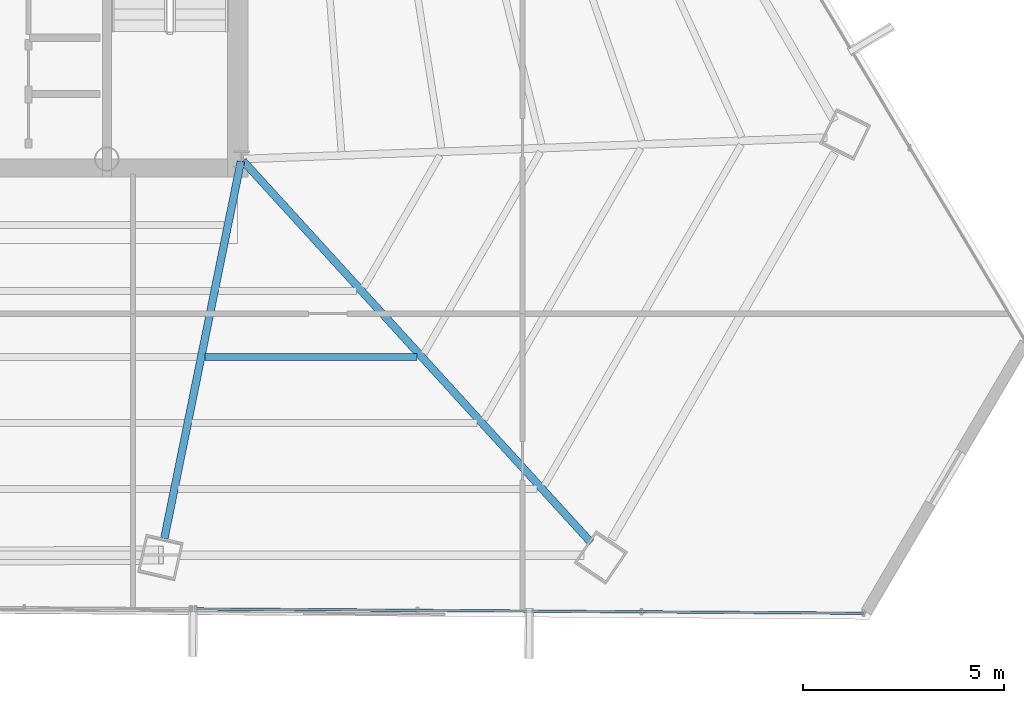
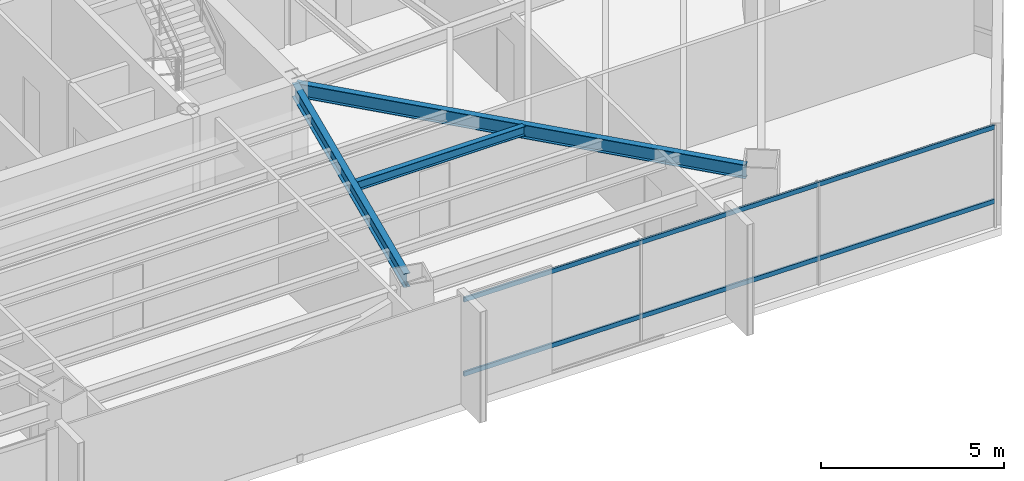
# One storey, part 18 of 41: 3 beams, 2 members, 1 element without a shape of its own.
"""IFC4 building model written with IfcOpenShell, lengths in metres."""

import ifcopenshell
import ifcopenshell.guid

model = None  # the IFC model being written
_history = None  # IfcOwnerHistory: only IFC2X3 demands one
_inside = {}  # id of a spatial element -> (the spatial element, [elements in it])
_under = {}  # id of a project, library or spatial element -> (it, [spatial elements below it])
_declared = {}  # id of a project -> (the project, [libraries it declares])
_typed = {}  # id of a type object -> (the type object, [elements of that type])
_made_of = {}  # id of a material, layer set ... -> (it, [elements and type objects made of it])


def new_model(schema):
    """Start an empty IFC model of exactly this schema.

    Asked for "IFC4X3", IfcOpenShell would pick the latest addendum, in which some entities
    have other attributes; the version numbers below select the first issue.
    IFC2X3 requires an IfcOwnerHistory on every rooted entity: one is made here for all.
    """
    global model, _history
    if schema == "IFC4X3":
        model = ifcopenshell.file(schema_version=(4, 3, 0, 0))
    else:
        model = ifcopenshell.file(schema=schema)
    _inside.clear()
    _under.clear()
    _declared.clear()
    _typed.clear()
    _made_of.clear()
    _history = None
    if model.schema == "IFC2X3":
        org = make("IfcOrganization", Name="unknown")
        user = make(
            "IfcPersonAndOrganization",
            ThePerson=make("IfcPerson", FamilyName="unknown"),
            TheOrganization=org,
        )
        app = make(
            "IfcApplication",
            ApplicationDeveloper=org,
            Version="unknown",
            ApplicationFullName="unknown",
            ApplicationIdentifier="unknown",
        )
        _history = make(
            "IfcOwnerHistory",
            OwningUser=user,
            OwningApplication=app,
            ChangeAction="ADDED",
            CreationDate=0,
        )
    return model


def make(cls, **values):
    """One entity of the class cls with the attributes given. An attribute that is None is left unset."""
    return model.create_entity(
        cls, **{name: value for name, value in values.items() if value is not None}
    )


def rooted(cls, **values):
    """An entity with a GlobalId (a new one), such as an element, a storey or a relation."""
    return make(cls, GlobalId=ifcopenshell.guid.new(), OwnerHistory=_history, **values)


def si_unit(unit_type, name, prefix=None):
    """IfcSIUnit, for example si_unit("LENGTHUNIT", "METRE", prefix="MILLI")."""
    return make("IfcSIUnit", UnitType=unit_type, Prefix=prefix, Name=name)


def assignment(units):
    """IfcUnitAssignment: the units of a project."""
    return None if units is None else make("IfcUnitAssignment", Units=units)


def point(xyz):
    """IfcCartesianPoint."""
    return None if xyz is None else make("IfcCartesianPoint", Coordinates=xyz)


def direction(xyz):
    """IfcDirection."""
    return None if xyz is None else make("IfcDirection", DirectionRatios=xyz)


def frame(location, z_axis=None, x_axis=None):
    """IfcAxis2Placement3D, a coordinate frame: its origin and axes. An axis left out is left unset."""
    return make(
        "IfcAxis2Placement3D",
        Location=point(location),
        Axis=direction(z_axis),
        RefDirection=direction(x_axis),
    )


def frame_2d(location, x_axis=None):
    """IfcAxis2Placement2D, a coordinate frame in the plane: its origin and x axis."""
    return make(
        "IfcAxis2Placement2D", Location=point(location), RefDirection=direction(x_axis)
    )


def origin():
    """The frame at (0, 0, 0) with its axes left unset."""
    return frame((0.0, 0.0, 0.0))


def origin_2d():
    """The frame at (0, 0) in the plane with its x axis left unset."""
    return frame_2d((0.0, 0.0))


def place(relative_to, where):
    """IfcLocalPlacement: puts the frame where relative to a parent placement (None: the world)."""
    return make(
        "IfcLocalPlacement", PlacementRelTo=relative_to, RelativePlacement=where
    )


def context(
    kind, dimensions, precision=None, world=None, true_north=None, identifier=None
):
    """IfcGeometricRepresentationContext, for example the 3D "Model" context."""
    return make(
        "IfcGeometricRepresentationContext",
        ContextIdentifier=identifier,
        ContextType=kind,
        CoordinateSpaceDimension=dimensions,
        Precision=precision,
        WorldCoordinateSystem=world,
        TrueNorth=true_north,
    )


def subcontext(parent, identifier, kind, view, scale=None):
    """IfcGeometricRepresentationSubContext, for example "Body" below "Model"."""
    return make(
        "IfcGeometricRepresentationSubContext",
        ContextIdentifier=identifier,
        ContextType=kind,
        ParentContext=parent,
        TargetScale=scale,
        TargetView=view,
    )


def project(units=None, contexts=None):
    """IfcProject with its units and contexts."""
    return rooted(
        "IfcProject",
        Name="project",
        RepresentationContexts=contexts,
        UnitsInContext=assignment(units),
    )


def spatial(cls, under=None, at=None, **own):
    """A site, building, storey or space (cls), placed at a placement, below another one or the project."""
    s = rooted(cls, ObjectPlacement=at, **own)
    if under is not None:
        _under.setdefault(under.id(), (under, []))[1].append(s)
    return s


def profile(cls, at=None, kind="AREA", **sizes):
    """A parametric profile (cls). Its sizes go by their IFC names, for example OverallWidth=200.0."""
    return make(cls, ProfileType=kind, Position=at, **sizes)


def hollow_rectangle(**sizes):
    """IfcRectangleHollowProfileDef."""
    return profile("IfcRectangleHollowProfileDef", **sizes)


def i_section(**sizes):
    """IfcIShapeProfileDef."""
    return profile("IfcIShapeProfileDef", **sizes)


def extrude(swept, where, along, depth):
    """IfcExtrudedAreaSolid: the profile swept, set in the frame where, extruded along a direction by depth."""
    return make(
        "IfcExtrudedAreaSolid",
        SweptArea=swept,
        Position=where,
        ExtrudedDirection=direction(along),
        Depth=depth,
    )


def shape(context_of_items, identifier, shape_type, items):
    """IfcShapeRepresentation: the items that make up one representation, for example the "Body"."""
    return make(
        "IfcShapeRepresentation",
        ContextOfItems=context_of_items,
        RepresentationIdentifier=identifier,
        RepresentationType=shape_type,
        Items=items,
    )


def source(mapping_origin, context_of_items, identifier, shape_type, items):
    """IfcRepresentationMap: a shape defined once, which mapped items show again and again."""
    return make(
        "IfcRepresentationMap",
        MappingOrigin=mapping_origin,
        MappedRepresentation=shape(context_of_items, identifier, shape_type, items),
    )


def transform(
    local_origin,
    x_axis=None,
    y_axis=None,
    z_axis=None,
    scale=None,
    scale2=None,
    scale3=None,
    uniform=True,
):
    """IfcCartesianTransformationOperator3D, or its non-uniform kind. x_axis, y_axis, z_axis: its Axis1, 2, 3."""
    if uniform:
        return make(
            "IfcCartesianTransformationOperator3D",
            Axis1=direction(x_axis),
            Axis2=direction(y_axis),
            LocalOrigin=point(local_origin),
            Scale=scale,
            Axis3=direction(z_axis),
        )
    return make(
        "IfcCartesianTransformationOperator3DnonUniform",
        Axis1=direction(x_axis),
        Axis2=direction(y_axis),
        LocalOrigin=point(local_origin),
        Scale=scale,
        Axis3=direction(z_axis),
        Scale2=scale2,
        Scale3=scale3,
    )


def mapped(mapping_source, mapping_target):
    """IfcMappedItem: shows the shape of a source again, moved by a transform."""
    return make(
        "IfcMappedItem", MappingSource=mapping_source, MappingTarget=mapping_target
    )


def material(Name=None, Category=None):
    """IfcMaterial."""
    return make("IfcMaterial", Name=Name, Category=Category)


def material_profile(
    of_material, cross_section, Name=None, Category=None, Priority=None
):
    """IfcMaterialProfile: a cross section and its material."""
    return make(
        "IfcMaterialProfile",
        Name=Name,
        Material=of_material,
        Profile=cross_section,
        Priority=Priority,
        Category=Category,
    )


def profile_set(profiles, Name=None, composite=None):
    """IfcMaterialProfileSet."""
    return make(
        "IfcMaterialProfileSet",
        Name=Name,
        MaterialProfiles=profiles,
        CompositeProfile=composite,
    )


def made_of(thing, what):
    """Note that an element or type object is made of a material, layer set ...; save() writes the relation."""
    if what is not None:
        _made_of.setdefault(what.id(), (what, []))[1].append(thing)
    return thing


def type_object(cls, material=None, **own):
    """A type object (cls), such as IfcWallType, which elements share."""
    return made_of(rooted(cls, **own), material)


def type_shapes(of_type, sources):
    """Give a type object the sources (RepresentationMaps) that its elements show as mapped items."""
    of_type.RepresentationMaps = sources


def element(
    cls,
    number,
    at=None,
    inside=None,
    cuts=None,
    type_object=None,
    material=None,
    context=None,
    identifier="Body",
    shape_type=None,
    held_by="IfcProductDefinitionShape",
    body=None,
    shapes=None,
    **own,
):
    """One element of the class cls, such as IfcWall. Its Tag is "e" and its number.

    at: its placement. inside: the storey or other place that contains it. cuts: it is an
    opening in that element (IfcRelVoidsElement). A single representation is given by context,
    identifier, shape_type and body (its items); several are given by shapes. held_by: the class
    of the entity that holds the representations. save() writes the other relations.
    """
    e = rooted(cls, Tag="e%d" % number, ObjectPlacement=at, **own)
    if body is not None:
        shapes = [shape(context, identifier, shape_type, body)]
    if shapes is not None:
        e.Representation = make(held_by, Representations=shapes)
    if inside is not None:
        _inside.setdefault(inside.id(), (inside, []))[1].append(e)
    if cuts is not None:
        rooted(
            "IfcRelVoidsElement", RelatingBuildingElement=cuts, RelatedOpeningElement=e
        )
    if type_object is not None:
        _typed.setdefault(type_object.id(), (type_object, []))[1].append(e)
    return made_of(e, material)


def aggregate(whole, parts):
    """IfcRelAggregates: a whole, such as a stair, and the parts it consists of."""
    return rooted("IfcRelAggregates", RelatingObject=whole, RelatedObjects=parts)


def save(model, path):
    """Write the relations noted so far, then the file.

    IfcRelAggregates (storeys below a building ...), IfcRelContainedInSpatialStructure (elements
    in a storey), IfcRelDefinesByType, IfcRelAssociatesMaterial and IfcRelDeclares: one each for
    every whole, place, type object, material and project.
    """
    for whole, parts in _under.values():
        aggregate(whole, parts)
    for where, things in _inside.values():
        rooted(
            "IfcRelContainedInSpatialStructure",
            RelatedElements=things,
            RelatingStructure=where,
        )
    for kind, things in _typed.values():
        rooted("IfcRelDefinesByType", RelatedObjects=things, RelatingType=kind)
    for what, things in _made_of.values():
        rooted("IfcRelAssociatesMaterial", RelatedObjects=things, RelatingMaterial=what)
    for by, libraries in _declared.values():
        rooted("IfcRelDeclares", RelatingContext=by, RelatedDefinitions=libraries)
    model.write(path)


model = new_model("IFC4")

# Units and contexts
model_context = context("Model", 3, precision=1e-05, world=origin(), true_north=direction((0.0, 1.0)))
body_context = subcontext(model_context, "Body", "Model", "MODEL_VIEW")
ifc_project = project(units=[si_unit("LENGTHUNIT", "METRE"), si_unit("AREAUNIT", "SQUARE_METRE"), si_unit("VOLUMEUNIT", "CUBIC_METRE"), si_unit("PLANEANGLEUNIT", "RADIAN"), si_unit("MASSUNIT", "GRAM", prefix="KILO")], contexts=[model_context])

# Site, building, storey
site_placement = place(None, origin())
site = spatial("IfcSite", under=ifc_project, at=site_placement, CompositionType="ELEMENT")
building_placement = place(site_placement, origin())
building = spatial("IfcBuilding", under=site, at=building_placement, Name="Caelisora Broadcast Tower", CompositionType="ELEMENT")
storey_placement = place(building_placement, frame((0.0, 0.0, 162.14990234375)))
storey = spatial("IfcBuildingStorey", under=building, at=storey_placement, Name="L42", CompositionType="ELEMENT", Elevation=162.14990234375)

# Beams
ifc_material_1 = material(Name="Steel Grade 350 (AS/NZS 3679.1)", Category="steel")
ifc_material_profile_1 = material_profile(ifc_material_1, i_section(OverallWidth=0.19091796875, OverallDepth=0.46044921875, WebThickness=0.010009765625, FlangeThickness=0.01611328125, at=origin_2d()), Name="Steel Grade 350 (AS/NZS 3679.1)")
ifc_profile_set_1 = profile_set([ifc_material_profile_1], Name="Steel Grade 350 (AS/NZS 3679.1)")
beam_type_1 = type_object("IfcBeamType", Name="PG06", PredefinedType="BEAM", material=ifc_profile_set_1)
shared_shape_1 = source(origin(), body_context, "Body", "SweptSolid", [
    extrude(i_section(OverallWidth=0.19091796875, OverallDepth=0.46044921875, WebThickness=0.010009765625, FlangeThickness=0.01611328125, at=origin_2d()), origin(), (0.0, 0.0, 1.0), 12.86767578125),
])
beam_1_placement = place(storey_placement, frame((45.540283203125, 17.355712890625, 3.169921875), z_axis=(0.673809009408, -0.73890555475, 0.0), x_axis=(0.73890555475, 0.673809009408, 0.0)))
element("IfcBeam", 1, at=beam_1_placement, inside=storey, type_object=beam_type_1, Name="L42 beam PG06", PredefinedType="BEAM", context=body_context, shape_type="MappedRepresentation", body=[
    mapped(shared_shape_1, transform((0.0, 0.0, 0.0), scale=1.0)),
])
shared_shape_2 = source(origin(), body_context, "Body", "SweptSolid", [
    extrude(i_section(OverallWidth=0.19091796875, OverallDepth=0.46044921875, WebThickness=0.010009765625, FlangeThickness=0.01611328125, at=origin_2d()), origin(), (0.0, 0.0, 1.0), 9.583984375),
])
type_shapes(beam_type_1, [shared_shape_1, shared_shape_2])
beam_2_placement = place(storey_placement, frame((45.488037109375, 17.34130859375, 3.169921875), z_axis=(-0.198927277941, -0.980014254024, 0.0), x_axis=(0.980014254024, -0.198927277941, 0.0)))
element("IfcBeam", 2, at=beam_2_placement, inside=storey, type_object=beam_type_1, Name="L42 beam PG06", PredefinedType="BEAM", context=body_context, shape_type="MappedRepresentation", body=[
    mapped(shared_shape_2, transform((0.0, 0.0, 0.0), scale=1.0)),
])
ifc_material_profile_2 = material_profile(ifc_material_1, i_section(OverallWidth=0.166015625, OverallDepth=0.30712890625, WebThickness=0.006591796875, FlangeThickness=0.01171875, at=origin_2d()), Name="Steel Grade 350 (AS/NZS 3679.1)")
ifc_profile_set_2 = profile_set([ifc_material_profile_2], Name="Steel Grade 350 (AS/NZS 3679.1)")
beam_type_2 = type_object("IfcBeamType", Name="SB03", PredefinedType="JOIST", material=ifc_profile_set_2)
shared_shape_3 = source(origin(), body_context, "Body", "SweptSolid", [
    extrude(i_section(OverallWidth=0.166015625, OverallDepth=0.30712890625, WebThickness=0.006591796875, FlangeThickness=0.01171875, at=origin_2d()), origin(), (0.0, 0.0, 1.0), 5.277099609375),
])
type_shapes(beam_type_2, [shared_shape_3])
beam_3_placement = place(storey_placement, frame((44.593505859375, 12.46875, 3.24658203125), z_axis=(1.0, 0.0, 0.0), x_axis=(0.0, 1.0, 0.0)))
element("IfcBeam", 3, at=beam_3_placement, inside=storey, type_object=beam_type_2, Name="L42 beam SB03", PredefinedType="JOIST", context=body_context, shape_type="MappedRepresentation", body=[
    mapped(shared_shape_3, transform((0.0, 0.0, 0.0), scale=1.0)),
])

# Curtain wall, members
ifc_material_2 = material(Name="Unitised Aluminium and Low-E Glass Curtain Wall", Category="glass")
curtain_wall_type = type_object("IfcCurtainWallType", Name="CW-Z3", PredefinedType="NOTDEFINED", material=ifc_material_2)
curtain_wall_placement = place(storey_placement, origin())
curtain_wall = element("IfcCurtainWall", 4, at=curtain_wall_placement, inside=storey, type_object=curtain_wall_type, Name="L42 curtain wall CW-Z3", PredefinedType="NOTDEFINED")
ifc_material_3 = material(Name="Aluminium 6063-T6 Anodised Terracotta Bronze", Category="aluminium")
ifc_material_profile_3 = material_profile(ifc_material_3, hollow_rectangle(XDim=0.06005859375, YDim=0.14990234375, WallThickness=0.00341796875, at=origin_2d()), Name="Aluminium 6063-T6 Anodised Terracotta Bronze")
ifc_profile_set_3 = profile_set([ifc_material_profile_3], Name="Aluminium 6063-T6 Anodised Terracotta Bronze")
member_type = type_object("IfcMemberType", Name="CWT-02", PredefinedType="USERDEFINED", material=ifc_profile_set_3)
shared_shape_4 = source(origin(), body_context, "Body", "SweptSolid", [
    extrude(hollow_rectangle(XDim=0.06005859375, YDim=0.14990234375, WallThickness=0.00341796875, at=origin_2d()), origin(), (0.0, 0.0, 1.0), 16.638916015625),
])
type_shapes(member_type, [shared_shape_4])
member_1_placement = place(storey_placement, frame((60.991943359375, 6.08837890625, 0.85009765625), z_axis=(-0.999978683351, 0.006529383057, 0.0), x_axis=(-0.006529383057, -0.999978683351, 0.0)))
member_1 = element("IfcMember", 5, at=member_1_placement, type_object=member_type, Name="L42-CW-B05 transom #1", ObjectType="TRANSOM", PredefinedType="USERDEFINED", context=body_context, shape_type="MappedRepresentation", body=[
    mapped(shared_shape_4, transform((0.0, 0.0, 0.0), scale=1.0)),
])
member_2_placement = place(storey_placement, frame((60.991943359375, 6.08837890625, 3.320068359375), z_axis=(-0.999978683351, 0.006529383057, 0.0), x_axis=(-0.006529383057, -0.999978683351, 0.0)))
member_2 = element("IfcMember", 6, at=member_2_placement, type_object=member_type, Name="L42-CW-B05 transom #2", ObjectType="TRANSOM", PredefinedType="USERDEFINED", context=body_context, shape_type="MappedRepresentation", body=[
    mapped(shared_shape_4, transform((0.0, 0.0, 0.0), scale=1.0)),
])
aggregate(curtain_wall, [member_1, member_2])

save(model, "model.ifc")
